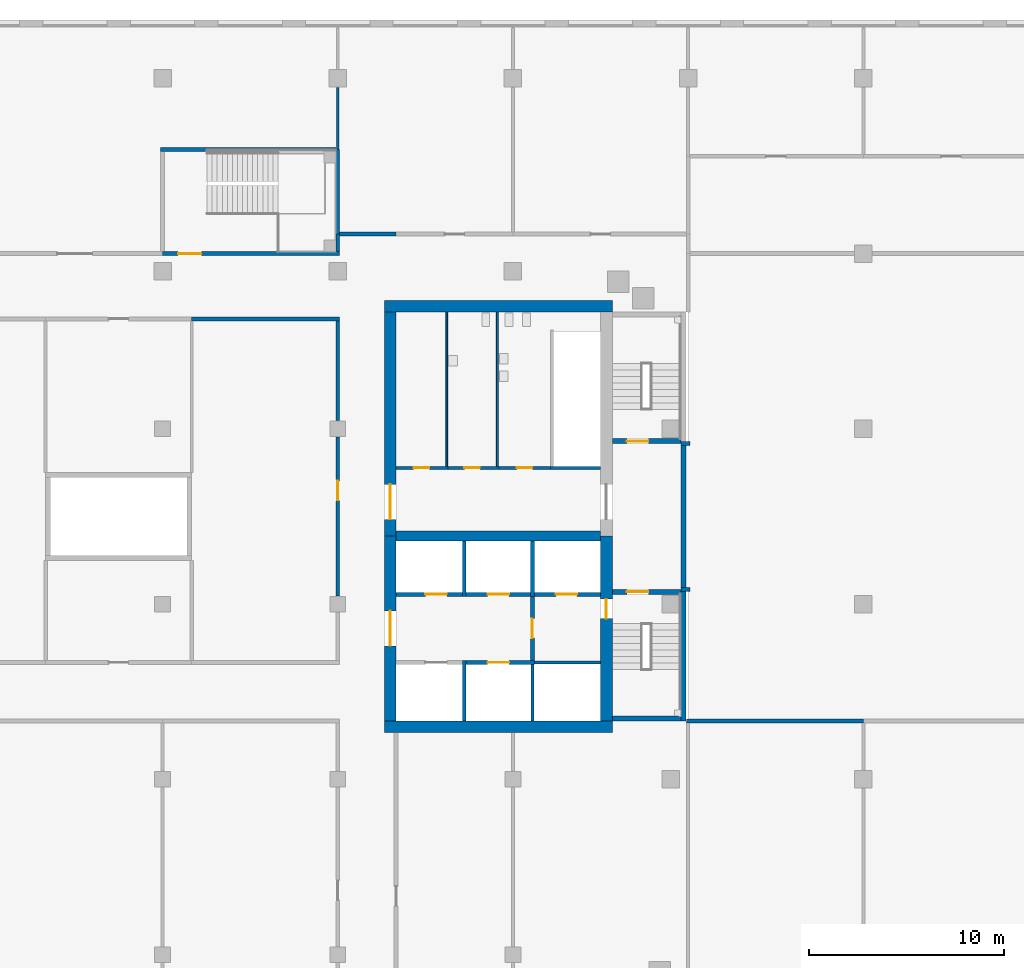
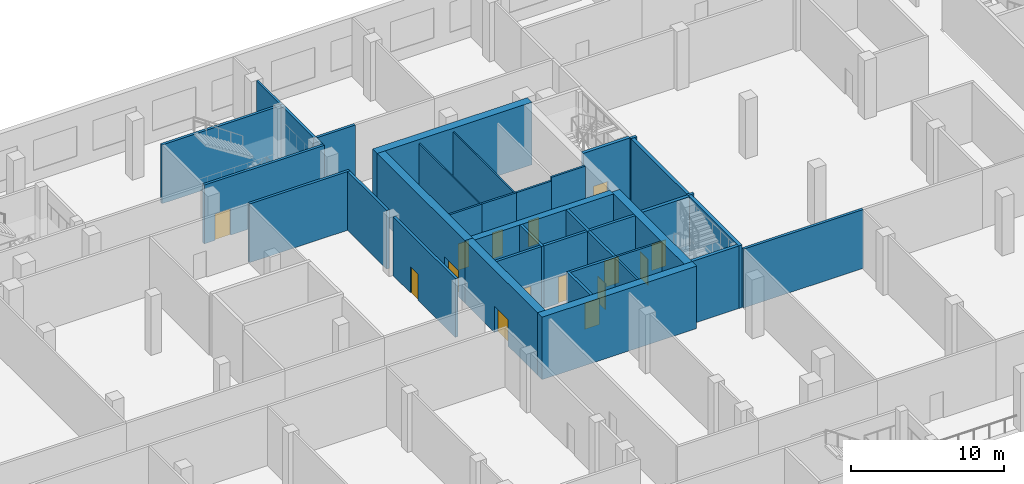
# One storey, part 9 of 23: 39 walls, 15 doors, 15 openings.
"""IFC4 building model written with IfcOpenShell, lengths in metres."""

from ifc_helpers import new_model, si_unit, direction, frame, frame_2d, origin, place, context, subcontext, project, spatial, rectangle, extrude, material, layer, layer_set, type_object, element, fill, save


model = new_model("IFC4")

# Units and contexts
model_context = context("Model", 3, precision=1e-05, world=origin(), true_north=direction((0.0, 1.0)))
body_context = subcontext(model_context, "Body", "Model", "MODEL_VIEW")
ifc_project = project(units=[si_unit("LENGTHUNIT", "METRE"), si_unit("AREAUNIT", "SQUARE_METRE"), si_unit("VOLUMEUNIT", "CUBIC_METRE"), si_unit("PLANEANGLEUNIT", "RADIAN"), si_unit("MASSUNIT", "GRAM", prefix="KILO")], contexts=[model_context])

# Site, building, storey
site_placement = place(None, origin())
site = spatial("IfcSite", under=ifc_project, at=site_placement, CompositionType="ELEMENT")
building_placement = place(site_placement, origin())
building = spatial("IfcBuilding", under=site, at=building_placement, Name="Cinnabar Reach Civic Tower", CompositionType="ELEMENT")
storey_placement = place(building_placement, frame((0.0, 0.0, 6.0)))
storey = spatial("IfcBuildingStorey", under=building, at=storey_placement, Name="L01", CompositionType="ELEMENT", Elevation=6.0)

# Walls
ifc_material_1 = material(Name="Concrete C60", Category="concrete")
ifc_layer_1 = layer(ifc_material_1, 0.5)
ifc_layer_set_1 = layer_set([ifc_layer_1], Name="Core wall 500 EI 180")
wall_type_1 = type_object("IfcWallType", Name="Core wall 500 EI 180", PredefinedType="SOLIDWALL", material=ifc_layer_set_1)
wall_1_placement = place(storey_placement, frame((-42.0, 30.5, 0.0), z_axis=(0.0, 0.0, 1.0), x_axis=(1.0, 0.0, 0.0)))
element("IfcWall", 1, at=wall_1_placement, inside=storey, type_object=wall_type_1, Name="Core spine wall T2 L01", PredefinedType="SOLIDWALL", context=body_context, shape_type="SweptSolid", body=[
    extrude(rectangle(XDim=10.5, YDim=0.5, at=frame_2d((5.25, 0.0))), origin(), (0.0, 0.0, 1.0), 5.0),
])
ifc_material_2 = material(Name="Concrete C70", Category="concrete")
ifc_layer_2 = layer(ifc_material_2, 0.6)
ifc_layer_set_2 = layer_set([ifc_layer_2], Name="Core wall 600 EI 180")
wall_type_2 = type_object("IfcWallType", Name="Core wall 600 EI 180", PredefinedType="SOLIDWALL", material=ifc_layer_set_2)
for number, where, z_axis, x_axis, name in (
    (2, (-42.6, 20.7, 0.0), (0.0, 0.0, 1.0), (1.0, 0.0, 0.0), "Core wall T2 L01 S"),
    (3, (-30.9, 42.3, 0.0), (0.0, 0.0, 1.0), (-1.0, 0.0, 0.0), "Core wall T2 L01 N"),
):
    element("IfcWall", number, at=place(storey_placement, frame(where, z_axis=z_axis, x_axis=x_axis)), inside=storey, type_object=wall_type_2, Name=name, PredefinedType="SOLIDWALL", context=body_context, shape_type="SweptSolid", body=[
        extrude(rectangle(XDim=11.7, YDim=0.6, at=frame_2d((5.85, 0.0))), origin(), (0.0, 0.0, 1.0), 5.0),
    ])

# Wall, opening, door
wall_2_placement = place(storey_placement, frame((-31.2, 21.0, 0.0), z_axis=(0.0, 0.0, 1.0), x_axis=(0.0, 1.0, 0.0)))
wall_2 = element("IfcWall", 4, at=wall_2_placement, inside=storey, type_object=wall_type_2, Name="Core wall T2 L01 E", PredefinedType="SOLIDWALL", context=body_context, shape_type="SweptSolid", body=[
    extrude(rectangle(XDim=9.5, YDim=0.6, at=frame_2d((4.75, 0.0))), origin(), (0.0, 0.0, 1.0), 5.0),
])
opening_1_placement = place(wall_2_placement, frame((5.25, 0.0, 0.0)))
opening_1 = element("IfcOpeningElement", 5, at=opening_1_placement, cuts=wall_2, Name="Opening D6039", PredefinedType="OPENING", context=body_context, shape_type="SweptSolid", body=[
    extrude(rectangle(XDim=1.0, YDim=2.1, at=frame_2d((0.5, 1.05))), frame((0.0, 0.31, 0.0), z_axis=(0.0, -1.0, 0.0), x_axis=(1.0, 0.0, 0.0)), (0.0, 0.0, 1.0), 0.62),
])
ifc_material_3 = material(Name="Steel fire door", Category="steel")
door_type_1 = type_object("IfcDoorType", Name="T2 Firefighting lobby door 1000", OperationType="SINGLE_SWING_LEFT", PredefinedType="DOOR", material=ifc_material_3)
door_1_placement = place(opening_1_placement, frame((1.0, 0.0, 0.0), z_axis=(0.0, 0.0, 1.0), x_axis=(-1.0, 0.0, 0.0)))
door_1 = element("IfcDoor", 6, at=door_1_placement, inside=storey, type_object=door_type_1, Name="T2 Firefighting lobby door D6039", OperationType="SINGLE_SWING_LEFT", OverallHeight=2.1, OverallWidth=1.0, PredefinedType="DOOR", context=body_context, shape_type="SweptSolid", body=[
    extrude(rectangle(XDim=1.0, YDim=2.1, at=frame_2d((0.5, 1.05))), frame((0.0, 0.025, 0.0), z_axis=(0.0, -1.0, 0.0), x_axis=(1.0, 0.0, 0.0)), (0.0, 0.0, 1.0), 0.05),
])
fill(opening_1, door_1)

wall_3_placement = place(storey_placement, frame((-42.3, 42.0, 0.0), z_axis=(0.0, 0.0, 1.0), x_axis=(0.0, -1.0, 0.0)))
wall_3 = element("IfcWall", 7, at=wall_3_placement, inside=storey, type_object=wall_type_2, Name="Core wall T2 L01 W", PredefinedType="SOLIDWALL", context=body_context, shape_type="SweptSolid", body=[
    extrude(rectangle(XDim=11.5, YDim=0.6, at=frame_2d((5.75, 0.0))), origin(), (0.0, 0.0, 1.0), 5.0),
])
opening_2_placement = place(wall_3_placement, frame((8.85, 0.0, 0.0)))
opening_2 = element("IfcOpeningElement", 8, at=opening_2_placement, cuts=wall_3, Name="Opening D6044", PredefinedType="OPENING", context=body_context, shape_type="SweptSolid", body=[
    extrude(rectangle(XDim=1.8, YDim=2.1, at=frame_2d((0.9, 1.05))), frame((0.0, 0.31, 0.0), z_axis=(0.0, -1.0, 0.0), x_axis=(1.0, 0.0, 0.0)), (0.0, 0.0, 1.0), 0.62),
])
door_type_2 = type_object("IfcDoorType", Name="T2 Double door 1800", OperationType="DOUBLE_DOOR_SINGLE_SWING", PredefinedType="DOOR", material=ifc_material_3)
door_2_placement = place(opening_2_placement, frame((1.8, 0.0, 0.0), z_axis=(0.0, 0.0, 1.0), x_axis=(-1.0, 0.0, 0.0)))
door_2 = element("IfcDoor", 9, at=door_2_placement, inside=storey, type_object=door_type_2, Name="T2 Double door D6044", OperationType="DOUBLE_DOOR_SINGLE_SWING", OverallHeight=2.1, OverallWidth=1.8, PredefinedType="DOOR", context=body_context, shape_type="SweptSolid", body=[
    extrude(rectangle(XDim=1.8, YDim=2.1, at=frame_2d((0.9, 1.05))), frame((0.0, 0.025, 0.0), z_axis=(0.0, -1.0, 0.0), x_axis=(1.0, 0.0, 0.0)), (0.0, 0.0, 1.0), 0.05),
])
fill(opening_2, door_2)

wall_4_placement = place(storey_placement, frame((-42.3, 30.5, 0.0), z_axis=(0.0, 0.0, 1.0), x_axis=(0.0, -1.0, 0.0)))
wall_4 = element("IfcWall", 10, at=wall_4_placement, inside=storey, type_object=wall_type_2, Name="Core wall T2 L01 W2", PredefinedType="SOLIDWALL", context=body_context, shape_type="SweptSolid", body=[
    extrude(rectangle(XDim=9.5, YDim=0.6, at=frame_2d((4.75, 0.0))), origin(), (0.0, 0.0, 1.0), 5.0),
])
opening_3_placement = place(wall_4_placement, frame((3.85, 0.0, 0.0)))
opening_3 = element("IfcOpeningElement", 11, at=opening_3_placement, cuts=wall_4, Name="Opening D6043", PredefinedType="OPENING", context=body_context, shape_type="SweptSolid", body=[
    extrude(rectangle(XDim=1.8, YDim=2.1, at=frame_2d((0.9, 1.05))), frame((0.0, 0.31, 0.0), z_axis=(0.0, -1.0, 0.0), x_axis=(1.0, 0.0, 0.0)), (0.0, 0.0, 1.0), 0.62),
])
door_3_placement = place(opening_3_placement, origin())
door_3 = element("IfcDoor", 12, at=door_3_placement, inside=storey, type_object=door_type_2, Name="T2 Double door D6043", OperationType="DOUBLE_DOOR_SINGLE_SWING", OverallHeight=2.1, OverallWidth=1.8, PredefinedType="DOOR", context=body_context, shape_type="SweptSolid", body=[
    extrude(rectangle(XDim=1.8, YDim=2.1, at=frame_2d((0.9, 1.05))), frame((0.0, 0.025, 0.0), z_axis=(0.0, -1.0, 0.0), x_axis=(1.0, 0.0, 0.0)), (0.0, 0.0, 1.0), 0.05),
])
fill(opening_3, door_3)

ifc_material_4 = material(Name="Concrete blockwork", Category="masonry")
ifc_layer_3 = layer(ifc_material_4, 0.2)
ifc_layer_set_3 = layer_set([ifc_layer_3], Name="Podium masonry corridor wall 200 EI 120")
wall_type_3 = type_object("IfcWallType", Name="Podium masonry corridor wall 200 EI 120", PredefinedType="PARTITIONING", material=ifc_layer_set_3)
wall_5_placement = place(storey_placement, frame((-45.0, 27.42, 0.0), z_axis=(0.0, 0.0, 1.0), x_axis=(0.0, 1.0, 0.0)))
wall_5 = element("IfcWall", 13, at=wall_5_placement, inside=storey, type_object=wall_type_3, Name="Wall L01 75", PredefinedType="PARTITIONING", context=body_context, shape_type="SweptSolid", body=[
    extrude(rectangle(XDim=8.16, YDim=0.2, at=frame_2d((4.08, 0.0))), origin(), (0.0, 0.0, 1.0), 4.7),
])
opening_4_placement = place(wall_5_placement, frame((4.905, 0.0, 0.0)))
opening_4 = element("IfcOpeningElement", 14, at=opening_4_placement, cuts=wall_5, Name="Opening D1077", PredefinedType="OPENING", context=body_context, shape_type="SweptSolid", body=[
    extrude(rectangle(XDim=1.0, YDim=2.1, at=frame_2d((0.5, 1.05))), frame((0.0, 0.11, 0.0), z_axis=(0.0, -1.0, 0.0), x_axis=(1.0, 0.0, 0.0)), (0.0, 0.0, 1.0), 0.22),
])
ifc_material_5 = material(Name="Painted steel door leaf", Category="steel")
door_type_3 = type_object("IfcDoorType", Name="Podium single door 1000x2100", OperationType="SINGLE_SWING_LEFT", PredefinedType="DOOR", material=ifc_material_5)
door_4_placement = place(opening_4_placement, origin())
door_4 = element("IfcDoor", 15, at=door_4_placement, inside=storey, type_object=door_type_3, Name="Door D1077", OperationType="SINGLE_SWING_LEFT", OverallHeight=2.1, OverallWidth=1.0, PredefinedType="DOOR", context=body_context, shape_type="SweptSolid", body=[
    extrude(rectangle(XDim=1.0, YDim=2.1, at=frame_2d((0.5, 1.05))), frame((0.0, 0.025, 0.0), z_axis=(0.0, -1.0, 0.0), x_axis=(1.0, 0.0, 0.0)), (0.0, 0.0, 1.0), 0.05),
])
fill(opening_4, door_4)

# Walls
wall_6_placement = place(storey_placement, frame((-45.0, 36.42, 0.0), z_axis=(0.0, 0.0, 1.0), x_axis=(0.0, 1.0, 0.0)))
element("IfcWall", 16, at=wall_6_placement, inside=storey, type_object=wall_type_3, Name="Wall L01 76", PredefinedType="PARTITIONING", context=body_context, shape_type="SweptSolid", body=[
    extrude(rectangle(XDim=5.13, YDim=0.2, at=frame_2d((2.565, 0.0))), origin(), (0.0, 0.0, 1.0), 4.7),
])
wall_7_placement = place(storey_placement, frame((-52.5, 41.65, 0.0), z_axis=(0.0, 0.0, 1.0), x_axis=(1.0, 0.0, 0.0)))
element("IfcWall", 17, at=wall_7_placement, inside=storey, type_object=wall_type_3, Name="Wall L01 89", PredefinedType="PARTITIONING", context=body_context, shape_type="SweptSolid", body=[
    extrude(rectangle(XDim=7.6, YDim=0.2, at=frame_2d((3.8, 0.0))), origin(), (0.0, 0.0, 1.0), 4.7),
])
wall_8_placement = place(storey_placement, frame((-44.9, 46.0, 0.0), z_axis=(0.0, 0.0, 1.0), x_axis=(1.0, 0.0, 0.0)))
element("IfcWall", 18, at=wall_8_placement, inside=storey, type_object=wall_type_3, Name="Wall L01 93", PredefinedType="PARTITIONING", context=body_context, shape_type="SweptSolid", body=[
    extrude(rectangle(XDim=2.9, YDim=0.2, at=frame_2d((1.45, 0.0))), origin(), (0.0, 0.0, 1.0), 4.7),
])
wall_9_placement = place(storey_placement, frame((-27.075, 21.0, 0.0), z_axis=(0.0, 0.0, 1.0), x_axis=(1.0, 0.0, 0.0)))
element("IfcWall", 19, at=wall_9_placement, inside=storey, type_object=wall_type_3, Name="Wall L01 134", PredefinedType="PARTITIONING", context=body_context, shape_type="SweptSolid", body=[
    extrude(rectangle(XDim=9.075, YDim=0.2, at=frame_2d((4.5375, 0.0))), origin(), (0.0, 0.0, 1.0), 4.7),
])
ifc_material_6 = material(Name="Gypsum board on steel studs", Category="steel")
ifc_layer_4 = layer(ifc_material_6, 0.15)
ifc_layer_set_4 = layer_set([ifc_layer_4], Name="Podium partition wall 150 EI 90")
wall_type_4 = type_object("IfcWallType", Name="Podium partition wall 150 EI 90", PredefinedType="PARTITIONING", material=ifc_layer_set_4)
wall_10_placement = place(storey_placement, frame((-45.0, 50.35, 0.0), z_axis=(0.0, 0.0, 1.0), x_axis=(0.0, 1.0, 0.0)))
element("IfcWall", 20, at=wall_10_placement, inside=storey, type_object=wall_type_4, Name="Wall L01 217", PredefinedType="PARTITIONING", context=body_context, shape_type="SweptSolid", body=[
    extrude(rectangle(XDim=3.18, YDim=0.15, at=frame_2d((1.59, 0.0))), origin(), (0.0, 0.0, 1.0), 4.7),
])
ifc_material_7 = material(Name="Concrete C40", Category="concrete")
ifc_layer_5 = layer(ifc_material_7, 0.2)
ifc_layer_set_5 = layer_set([ifc_layer_5], Name="Podium stair shaft wall 200 EI 120")
wall_type_5 = type_object("IfcWallType", Name="Podium stair shaft wall 200 EI 120", PredefinedType="SOLIDWALL", material=ifc_layer_set_5)
wall_11_placement = place(storey_placement, frame((-45.0, 45.1, 0.0), z_axis=(0.0, 0.0, 1.0), x_axis=(0.0, 1.0, 0.0)))
element("IfcWall", 21, at=wall_11_placement, inside=storey, type_object=wall_type_5, Name="Wall L01 28", PredefinedType="SOLIDWALL", context=body_context, shape_type="SweptSolid", body=[
    extrude(rectangle(XDim=0.9, YDim=0.2, at=frame_2d((0.45, 0.0))), origin(), (0.0, 0.0, 1.0), 4.7),
])

# Wall, opening, door
wall_12_placement = place(storey_placement, frame((-54.0, 45.0, 0.0), z_axis=(0.0, 0.0, 1.0), x_axis=(1.0, 0.0, 0.0)))
wall_12 = element("IfcWall", 22, at=wall_12_placement, inside=storey, type_object=wall_type_5, Name="Wall L01 29", PredefinedType="SOLIDWALL", context=body_context, shape_type="SweptSolid", body=[
    extrude(rectangle(XDim=9.1, YDim=0.2, at=frame_2d((4.55, 0.0))), origin(), (0.0, 0.0, 1.0), 4.7),
])
opening_5_placement = place(wall_12_placement, frame((0.8, 0.0, 0.0)))
opening_5 = element("IfcOpeningElement", 23, at=opening_5_placement, cuts=wall_12, Name="Opening D1099", PredefinedType="OPENING", context=body_context, shape_type="SweptSolid", body=[
    extrude(rectangle(XDim=1.2, YDim=2.1, at=frame_2d((0.6, 1.05))), frame((0.0, 0.11, 0.0), z_axis=(0.0, -1.0, 0.0), x_axis=(1.0, 0.0, 0.0)), (0.0, 0.0, 1.0), 0.22),
])
door_type_4 = type_object("IfcDoorType", Name="Podium single door 1200x2100", OperationType="SINGLE_SWING_LEFT", PredefinedType="DOOR", material=ifc_material_5)
door_5_placement = place(opening_5_placement, origin())
door_5 = element("IfcDoor", 24, at=door_5_placement, inside=storey, type_object=door_type_4, Name="Door D1099", OperationType="SINGLE_SWING_LEFT", OverallHeight=2.1, OverallWidth=1.2, PredefinedType="DOOR", context=body_context, shape_type="SweptSolid", body=[
    extrude(rectangle(XDim=1.2, YDim=2.1, at=frame_2d((0.6, 1.05))), frame((0.0, 0.025, 0.0), z_axis=(0.0, -1.0, 0.0), x_axis=(1.0, 0.0, 0.0)), (0.0, 0.0, 1.0), 0.05),
])
fill(opening_5, door_5)

# Walls
wall_13_placement = place(storey_placement, frame((-54.1, 50.35, 0.0), z_axis=(0.0, 0.0, 1.0), x_axis=(1.0, 0.0, 0.0)))
element("IfcWall", 25, at=wall_13_placement, inside=storey, type_object=wall_type_5, Name="Wall L01 30", PredefinedType="SOLIDWALL", context=body_context, shape_type="SweptSolid", body=[
    extrude(rectangle(XDim=9.0, YDim=0.2, at=frame_2d((4.5, 0.0))), origin(), (0.0, 0.0, 1.0), 4.7),
])
wall_14_placement = place(storey_placement, frame((-45.0, 46.0, 0.0), z_axis=(0.0, 0.0, 1.0), x_axis=(0.0, 1.0, 0.0)))
element("IfcWall", 26, at=wall_14_placement, inside=storey, type_object=wall_type_5, Name="Wall L01 32", PredefinedType="SOLIDWALL", context=body_context, shape_type="SweptSolid", body=[
    extrude(rectangle(XDim=4.35, YDim=0.2, at=frame_2d((2.175, 0.0))), origin(), (0.0, 0.0, 1.0), 4.7),
])
ifc_layer_6 = layer(ifc_material_1, 0.25)
ifc_layer_set_6 = layer_set([ifc_layer_6], Name="Stair shaft wall 250 EI 120")
wall_type_6 = type_object("IfcWallType", Name="Stair shaft wall 250 EI 120", PredefinedType="SOLIDWALL", material=ifc_layer_set_6)
wall_15_placement = place(storey_placement, frame((-30.9, 21.125, 0.0), z_axis=(0.0, 0.0, 1.0), x_axis=(1.0, 0.0, 0.0)))
element("IfcWall", 27, at=wall_15_placement, inside=storey, type_object=wall_type_6, Name="Stair shaft wall T2-S1 L01", PredefinedType="SOLIDWALL", context=body_context, shape_type="SweptSolid", body=[
    extrude(rectangle(XDim=3.54, YDim=0.25, at=frame_2d((1.77, 0.0))), origin(), (0.0, 0.0, 1.0), 5.0),
])

# Wall, opening, door
wall_16_placement = place(storey_placement, frame((-27.36, 27.625, 0.0), z_axis=(0.0, 0.0, 1.0), x_axis=(-1.0, 0.0, 0.0)))
wall_16 = element("IfcWall", 28, at=wall_16_placement, inside=storey, type_object=wall_type_6, Name="Stair shaft wall T2-S1 L01", PredefinedType="SOLIDWALL", context=body_context, shape_type="SweptSolid", body=[
    extrude(rectangle(XDim=3.54, YDim=0.25, at=frame_2d((1.77, 0.0))), origin(), (0.0, 0.0, 1.0), 5.0),
])
opening_6_placement = place(wall_16_placement, frame((1.69, 0.0, 0.0)))
opening_6 = element("IfcOpeningElement", 29, at=opening_6_placement, cuts=wall_16, Name="Opening D6040", PredefinedType="OPENING", context=body_context, shape_type="SweptSolid", body=[
    extrude(rectangle(XDim=1.1, YDim=2.1, at=frame_2d((0.55, 1.05))), frame((0.0, 0.135, 0.0), z_axis=(0.0, -1.0, 0.0), x_axis=(1.0, 0.0, 0.0)), (0.0, 0.0, 1.0), 0.27),
])
door_type_5 = type_object("IfcDoorType", Name="T2 Stair door 1100", OperationType="SINGLE_SWING_LEFT", PredefinedType="DOOR", material=ifc_material_3)
door_6_placement = place(opening_6_placement, origin())
door_6 = element("IfcDoor", 30, at=door_6_placement, inside=storey, type_object=door_type_5, Name="T2 Stair door D6040", OperationType="SINGLE_SWING_RIGHT", OverallHeight=2.1, OverallWidth=1.1, PredefinedType="DOOR", context=body_context, shape_type="SweptSolid", body=[
    extrude(rectangle(XDim=1.1, YDim=2.1, at=frame_2d((0.55, 1.05))), frame((0.0, 0.025, 0.0), z_axis=(0.0, -1.0, 0.0), x_axis=(1.0, 0.0, 0.0)), (0.0, 0.0, 1.0), 0.05),
])
fill(opening_6, door_6)

wall_17_placement = place(storey_placement, frame((-30.9, 35.375, 0.0), z_axis=(0.0, 0.0, 1.0), x_axis=(1.0, 0.0, 0.0)))
wall_17 = element("IfcWall", 31, at=wall_17_placement, inside=storey, type_object=wall_type_6, Name="Stair shaft wall T2-S2 L01", PredefinedType="SOLIDWALL", context=body_context, shape_type="SweptSolid", body=[
    extrude(rectangle(XDim=3.54, YDim=0.25, at=frame_2d((1.77, 0.0))), origin(), (0.0, 0.0, 1.0), 5.0),
])
opening_7_placement = place(wall_17_placement, frame((0.75, 0.0, 0.0)))
opening_7 = element("IfcOpeningElement", 32, at=opening_7_placement, cuts=wall_17, Name="Opening D6041", PredefinedType="OPENING", context=body_context, shape_type="SweptSolid", body=[
    extrude(rectangle(XDim=1.1, YDim=2.1, at=frame_2d((0.55, 1.05))), frame((0.0, 0.135, 0.0), z_axis=(0.0, -1.0, 0.0), x_axis=(1.0, 0.0, 0.0)), (0.0, 0.0, 1.0), 0.27),
])
door_7_placement = place(opening_7_placement, origin())
door_7 = element("IfcDoor", 33, at=door_7_placement, inside=storey, type_object=door_type_5, Name="T2 Stair door D6041", OperationType="SINGLE_SWING_RIGHT", OverallHeight=2.1, OverallWidth=1.1, PredefinedType="DOOR", context=body_context, shape_type="SweptSolid", body=[
    extrude(rectangle(XDim=1.1, YDim=2.1, at=frame_2d((0.55, 1.05))), frame((0.0, 0.025, 0.0), z_axis=(0.0, -1.0, 0.0), x_axis=(1.0, 0.0, 0.0)), (0.0, 0.0, 1.0), 0.05),
])
fill(opening_7, door_7)

# Walls
wall_18_placement = place(storey_placement, frame((-27.235, 21.0, 0.0), z_axis=(0.0, 0.0, 1.0), x_axis=(0.0, 1.0, 0.0)))
element("IfcWall", 34, at=wall_18_placement, inside=storey, type_object=wall_type_6, Name="Stair shaft wall T2-STRIP L01", PredefinedType="SOLIDWALL", context=body_context, shape_type="SweptSolid", body=[
    extrude(rectangle(XDim=6.65, YDim=0.25, at=frame_2d((3.325, 0.0))), origin(), (0.0, 0.0, 1.0), 5.0),
])
wall_19_placement = place(storey_placement, frame((-27.235, 27.85, 0.0), z_axis=(0.0, 0.0, 1.0), x_axis=(0.0, 1.0, 0.0)))
element("IfcWall", 35, at=wall_19_placement, inside=storey, type_object=wall_type_6, Name="Stair shaft wall T2-STRIP L01", PredefinedType="SOLIDWALL", context=body_context, shape_type="SweptSolid", body=[
    extrude(rectangle(XDim=7.3, YDim=0.25, at=frame_2d((3.65, 0.0))), origin(), (0.0, 0.0, 1.0), 5.0),
])

# Wall, opening, door
ifc_material_8 = material(Name="Masonry block partition", Category="masonry")
ifc_layer_7 = layer(ifc_material_8, 0.15)
ifc_layer_set_7 = layer_set([ifc_layer_7], Name="T2 Corridor wall 150")
wall_type_7 = type_object("IfcWallType", Name="T2 Corridor wall 150", PredefinedType="PARTITIONING", material=ifc_layer_set_7)
wall_20_placement = place(storey_placement, frame((-39.325, 34.0, 0.0), z_axis=(0.0, 0.0, 1.0), x_axis=(-1.0, 0.0, 0.0)))
wall_20 = element("IfcWall", 36, at=wall_20_placement, inside=storey, type_object=wall_type_7, Name="T2 Corridor wall L01 016", PredefinedType="PARTITIONING", context=body_context, shape_type="SweptSolid", body=[
    extrude(rectangle(XDim=2.675, YDim=0.15, at=frame_2d((1.3375, 0.0))), origin(), (0.0, 0.0, 1.0), 4.7),
])
opening_8_placement = place(wall_20_placement, frame((0.975, 0.0, 0.0)))
opening_8 = element("IfcOpeningElement", 37, at=opening_8_placement, cuts=wall_20, Name="Opening D6045", PredefinedType="OPENING", context=body_context, shape_type="SweptSolid", body=[
    extrude(rectangle(XDim=0.8, YDim=2.1, at=frame_2d((0.4, 1.05))), frame((0.0, 0.085, 0.0), z_axis=(0.0, -1.0, 0.0), x_axis=(1.0, 0.0, 0.0)), (0.0, 0.0, 1.0), 0.17),
])
ifc_material_9 = material(Name="Timber door leaf", Category="wood")
door_type_6 = type_object("IfcDoorType", Name="T2 Bathroom door 800", OperationType="SINGLE_SWING_LEFT", PredefinedType="DOOR", material=ifc_material_9)
door_8_placement = place(opening_8_placement, frame((0.8, 0.0, 0.0), z_axis=(0.0, 0.0, 1.0), x_axis=(-1.0, 0.0, 0.0)))
door_8 = element("IfcDoor", 38, at=door_8_placement, inside=storey, type_object=door_type_6, Name="T2 Bathroom door D6045", OperationType="SINGLE_SWING_LEFT", OverallHeight=2.1, OverallWidth=0.8, PredefinedType="DOOR", context=body_context, shape_type="SweptSolid", body=[
    extrude(rectangle(XDim=0.8, YDim=2.1, at=frame_2d((0.4, 1.05))), frame((0.0, 0.025, 0.0), z_axis=(0.0, -1.0, 0.0), x_axis=(1.0, 0.0, 0.0)), (0.0, 0.0, 1.0), 0.05),
])
fill(opening_8, door_8)

wall_21_placement = place(storey_placement, frame((-36.725, 34.0, 0.0), z_axis=(0.0, 0.0, 1.0), x_axis=(-1.0, 0.0, 0.0)))
wall_21 = element("IfcWall", 39, at=wall_21_placement, inside=storey, type_object=wall_type_7, Name="T2 Corridor wall L01 017", PredefinedType="PARTITIONING", context=body_context, shape_type="SweptSolid", body=[
    extrude(rectangle(XDim=2.6, YDim=0.15, at=frame_2d((1.3, 0.0))), origin(), (0.0, 0.0, 1.0), 4.7),
])
opening_9_placement = place(wall_21_placement, frame((0.975, 0.0, 0.0)))
opening_9 = element("IfcOpeningElement", 40, at=opening_9_placement, cuts=wall_21, Name="Opening D6046", PredefinedType="OPENING", context=body_context, shape_type="SweptSolid", body=[
    extrude(rectangle(XDim=0.8, YDim=2.1, at=frame_2d((0.4, 1.05))), frame((0.0, 0.085, 0.0), z_axis=(0.0, -1.0, 0.0), x_axis=(1.0, 0.0, 0.0)), (0.0, 0.0, 1.0), 0.17),
])
door_9_placement = place(opening_9_placement, frame((0.8, 0.0, 0.0), z_axis=(0.0, 0.0, 1.0), x_axis=(-1.0, 0.0, 0.0)))
door_9 = element("IfcDoor", 41, at=door_9_placement, inside=storey, type_object=door_type_6, Name="T2 Bathroom door D6046", OperationType="SINGLE_SWING_RIGHT", OverallHeight=2.1, OverallWidth=0.8, PredefinedType="DOOR", context=body_context, shape_type="SweptSolid", body=[
    extrude(rectangle(XDim=0.8, YDim=2.1, at=frame_2d((0.4, 1.05))), frame((0.0, 0.025, 0.0), z_axis=(0.0, -1.0, 0.0), x_axis=(1.0, 0.0, 0.0)), (0.0, 0.0, 1.0), 0.05),
])
fill(opening_9, door_9)

wall_22_placement = place(storey_placement, frame((-34.075, 34.0, 0.0), z_axis=(0.0, 0.0, 1.0), x_axis=(-1.0, 0.0, 0.0)))
wall_22 = element("IfcWall", 42, at=wall_22_placement, inside=storey, type_object=wall_type_7, Name="T2 Corridor wall L01 018", PredefinedType="PARTITIONING", context=body_context, shape_type="SweptSolid", body=[
    extrude(rectangle(XDim=2.65, YDim=0.15, at=frame_2d((1.325, 0.0))), origin(), (0.0, 0.0, 1.0), 4.7),
])
opening_10_placement = place(wall_22_placement, frame((0.925, 0.0, 0.0)))
opening_10 = element("IfcOpeningElement", 43, at=opening_10_placement, cuts=wall_22, Name="Opening D6047", PredefinedType="OPENING", context=body_context, shape_type="SweptSolid", body=[
    extrude(rectangle(XDim=0.8, YDim=2.1, at=frame_2d((0.4, 1.05))), frame((0.0, 0.085, 0.0), z_axis=(0.0, -1.0, 0.0), x_axis=(1.0, 0.0, 0.0)), (0.0, 0.0, 1.0), 0.17),
])
door_10_placement = place(opening_10_placement, frame((0.8, 0.0, 0.0), z_axis=(0.0, 0.0, 1.0), x_axis=(-1.0, 0.0, 0.0)))
door_10 = element("IfcDoor", 44, at=door_10_placement, inside=storey, type_object=door_type_6, Name="T2 Bathroom door D6047", OperationType="SINGLE_SWING_LEFT", OverallHeight=2.1, OverallWidth=0.8, PredefinedType="DOOR", context=body_context, shape_type="SweptSolid", body=[
    extrude(rectangle(XDim=0.8, YDim=2.1, at=frame_2d((0.4, 1.05))), frame((0.0, 0.025, 0.0), z_axis=(0.0, -1.0, 0.0), x_axis=(1.0, 0.0, 0.0)), (0.0, 0.0, 1.0), 0.05),
])
fill(opening_10, door_10)

# Walls
ifc_material_10 = material(Name="Gypsum board partition")
ifc_layer_8 = layer(ifc_material_10, 0.1)
ifc_layer_set_8 = layer_set([ifc_layer_8], Name="T2 Internal partition 100")
wall_type_8 = type_object("IfcWallType", Name="T2 Internal partition 100", PredefinedType="PARTITIONING", material=ifc_layer_set_8)
for number, where, z_axis, x_axis, name in (
    (45, (-39.4, 34.075, 0.0), (0.0, 0.0, 1.0), (0.0, 1.0, 0.0), "T2 Internal partition L01 019"),
    (46, (-36.8, 34.075, 0.0), (0.0, 0.0, 1.0), (0.0, 1.0, 0.0), "T2 Internal partition L01 020"),
):
    element("IfcWall", number, at=place(storey_placement, frame(where, z_axis=z_axis, x_axis=x_axis)), inside=storey, type_object=wall_type_8, Name=name, PredefinedType="PARTITIONING", context=body_context, shape_type="SweptSolid", body=[
        extrude(rectangle(XDim=7.925, YDim=0.1, at=frame_2d((3.9625, 0.0))), origin(), (0.0, 0.0, 1.0), 4.7),
    ])
ifc_layer_9 = layer(ifc_material_7, 0.15)
ifc_layer_set_9 = layer_set([ifc_layer_9], Name="T2 Riser wall 150")
wall_type_9 = type_object("IfcWallType", Name="T2 Riser wall 150", PredefinedType="SOLIDWALL", material=ifc_layer_set_9)
wall_23_placement = place(storey_placement, frame((-35.0, 21.0, 0.0), z_axis=(0.0, 0.0, 1.0), x_axis=(0.0, 1.0, 0.0)))
element("IfcWall", 47, at=wall_23_placement, inside=storey, type_object=wall_type_9, Name="T2 Riser wall L01 012", PredefinedType="SOLIDWALL", context=body_context, shape_type="SweptSolid", body=[
    extrude(rectangle(XDim=2.9, YDim=0.15, at=frame_2d((1.45, 0.0))), origin(), (0.0, 0.0, 1.0), 5.0),
])
wall_24_placement = place(storey_placement, frame((-31.5, 24.0, 0.0), z_axis=(0.0, 0.0, 1.0), x_axis=(-1.0, 0.0, 0.0)))
element("IfcWall", 48, at=wall_24_placement, inside=storey, type_object=wall_type_9, Name="T2 Riser wall L01 013", PredefinedType="SOLIDWALL", context=body_context, shape_type="SweptSolid", body=[
    extrude(rectangle(XDim=3.4, YDim=0.15, at=frame_2d((1.7, 0.0))), origin(), (0.0, 0.0, 1.0), 5.0),
])
wall_25_placement = place(storey_placement, frame((-34.075, 34.0, 0.0), z_axis=(0.0, 0.0, 1.0), x_axis=(1.0, 0.0, 0.0)))
element("IfcWall", 49, at=wall_25_placement, inside=storey, type_object=wall_type_9, Name="T2 Riser wall L01 014", PredefinedType="SOLIDWALL", context=body_context, shape_type="SweptSolid", body=[
    extrude(rectangle(XDim=2.575, YDim=0.15, at=frame_2d((1.2875, 0.0))), origin(), (0.0, 0.0, 1.0), 5.0),
])
ifc_layer_10 = layer(ifc_material_7, 0.2)
ifc_layer_set_10 = layer_set([ifc_layer_10], Name="T2 Shaft wall 200")
wall_type_10 = type_object("IfcWallType", Name="T2 Shaft wall 200", PredefinedType="SOLIDWALL", material=ifc_layer_set_10)
wall_26_placement = place(storey_placement, frame((-38.5, 21.0, 0.0), z_axis=(0.0, 0.0, 1.0), x_axis=(0.0, 1.0, 0.0)))
element("IfcWall", 50, at=wall_26_placement, inside=storey, type_object=wall_type_10, Name="T2 Shaft wall L01 001", PredefinedType="SOLIDWALL", context=body_context, shape_type="SweptSolid", body=[
    extrude(rectangle(XDim=3.1, YDim=0.2, at=frame_2d((1.55, 0.0))), origin(), (0.0, 0.0, 1.0), 5.0),
])

# Wall, opening, door
wall_27_placement = place(storey_placement, frame((-34.9, 24.0, 0.0), z_axis=(0.0, 0.0, 1.0), x_axis=(-1.0, 0.0, 0.0)))
wall_27 = element("IfcWall", 51, at=wall_27_placement, inside=storey, type_object=wall_type_10, Name="T2 Shaft wall L01 003", PredefinedType="SOLIDWALL", context=body_context, shape_type="SweptSolid", body=[
    extrude(rectangle(XDim=3.5, YDim=0.2, at=frame_2d((1.75, 0.0))), origin(), (0.0, 0.0, 1.0), 5.0),
])
opening_11_placement = place(wall_27_placement, frame((1.3, 0.0, 0.0)))
opening_11 = element("IfcOpeningElement", 52, at=opening_11_placement, cuts=wall_27, Name="Opening D6034", PredefinedType="OPENING", context=body_context, shape_type="SweptSolid", body=[
    extrude(rectangle(XDim=1.1, YDim=2.1, at=frame_2d((0.55, 1.05))), frame((0.0, 0.11, 0.0), z_axis=(0.0, -1.0, 0.0), x_axis=(1.0, 0.0, 0.0)), (0.0, 0.0, 1.0), 0.22),
])
door_type_7 = type_object("IfcDoorType", Name="T2 Lift landing door 1100", OperationType="SLIDING_TO_LEFT", PredefinedType="DOOR", material=ifc_material_3)
door_11_placement = place(opening_11_placement, origin())
door_11 = element("IfcDoor", 53, at=door_11_placement, inside=storey, type_object=door_type_7, Name="T2 Lift landing door D6034", OperationType="SLIDING_TO_LEFT", OverallHeight=2.1, OverallWidth=1.1, PredefinedType="DOOR", context=body_context, shape_type="SweptSolid", body=[
    extrude(rectangle(XDim=1.1, YDim=2.1, at=frame_2d((0.55, 1.05))), frame((0.0, 0.025, 0.0), z_axis=(0.0, -1.0, 0.0), x_axis=(1.0, 0.0, 0.0)), (0.0, 0.0, 1.0), 0.05),
])
fill(opening_11, door_11)

# Wall
wall_28_placement = place(storey_placement, frame((-38.5, 27.4, 0.0), z_axis=(0.0, 0.0, 1.0), x_axis=(0.0, 1.0, 0.0)))
element("IfcWall", 54, at=wall_28_placement, inside=storey, type_object=wall_type_10, Name="T2 Shaft wall L01 004", PredefinedType="SOLIDWALL", context=body_context, shape_type="SweptSolid", body=[
    extrude(rectangle(XDim=2.85, YDim=0.2, at=frame_2d((1.425, 0.0))), origin(), (0.0, 0.0, 1.0), 5.0),
])

# Wall, opening, door
wall_29_placement = place(storey_placement, frame((-42.0, 27.5, 0.0), z_axis=(0.0, 0.0, 1.0), x_axis=(1.0, 0.0, 0.0)))
wall_29 = element("IfcWall", 55, at=wall_29_placement, inside=storey, type_object=wall_type_10, Name="T2 Shaft wall L01 005", PredefinedType="SOLIDWALL", context=body_context, shape_type="SweptSolid", body=[
    extrude(rectangle(XDim=3.4, YDim=0.2, at=frame_2d((1.7, 0.0))), origin(), (0.0, 0.0, 1.0), 5.0),
])
opening_12_placement = place(wall_29_placement, frame((1.5, 0.0, 0.0)))
opening_12 = element("IfcOpeningElement", 56, at=opening_12_placement, cuts=wall_29, Name="Opening D6035", PredefinedType="OPENING", context=body_context, shape_type="SweptSolid", body=[
    extrude(rectangle(XDim=1.1, YDim=2.1, at=frame_2d((0.55, 1.05))), frame((0.0, 0.11, 0.0), z_axis=(0.0, -1.0, 0.0), x_axis=(1.0, 0.0, 0.0)), (0.0, 0.0, 1.0), 0.22),
])
door_12_placement = place(opening_12_placement, origin())
door_12 = element("IfcDoor", 57, at=door_12_placement, inside=storey, type_object=door_type_7, Name="T2 Lift landing door D6035", OperationType="SLIDING_TO_LEFT", OverallHeight=2.1, OverallWidth=1.1, PredefinedType="DOOR", context=body_context, shape_type="SweptSolid", body=[
    extrude(rectangle(XDim=1.1, YDim=2.1, at=frame_2d((0.55, 1.05))), frame((0.0, 0.025, 0.0), z_axis=(0.0, -1.0, 0.0), x_axis=(1.0, 0.0, 0.0)), (0.0, 0.0, 1.0), 0.05),
])
fill(opening_12, door_12)

# Wall
wall_30_placement = place(storey_placement, frame((-35.0, 27.4, 0.0), z_axis=(0.0, 0.0, 1.0), x_axis=(0.0, 1.0, 0.0)))
element("IfcWall", 58, at=wall_30_placement, inside=storey, type_object=wall_type_10, Name="T2 Shaft wall L01 006", PredefinedType="SOLIDWALL", context=body_context, shape_type="SweptSolid", body=[
    extrude(rectangle(XDim=2.85, YDim=0.2, at=frame_2d((1.425, 0.0))), origin(), (0.0, 0.0, 1.0), 5.0),
])

# Wall, opening, door
wall_31_placement = place(storey_placement, frame((-38.4, 27.5, 0.0), z_axis=(0.0, 0.0, 1.0), x_axis=(1.0, 0.0, 0.0)))
wall_31 = element("IfcWall", 59, at=wall_31_placement, inside=storey, type_object=wall_type_10, Name="T2 Shaft wall L01 007", PredefinedType="SOLIDWALL", context=body_context, shape_type="SweptSolid", body=[
    extrude(rectangle(XDim=3.3, YDim=0.2, at=frame_2d((1.65, 0.0))), origin(), (0.0, 0.0, 1.0), 5.0),
])
opening_13_placement = place(wall_31_placement, frame((1.1, 0.0, 0.0)))
opening_13 = element("IfcOpeningElement", 60, at=opening_13_placement, cuts=wall_31, Name="Opening D6036", PredefinedType="OPENING", context=body_context, shape_type="SweptSolid", body=[
    extrude(rectangle(XDim=1.1, YDim=2.1, at=frame_2d((0.55, 1.05))), frame((0.0, 0.11, 0.0), z_axis=(0.0, -1.0, 0.0), x_axis=(1.0, 0.0, 0.0)), (0.0, 0.0, 1.0), 0.22),
])
door_13_placement = place(opening_13_placement, origin())
door_13 = element("IfcDoor", 61, at=door_13_placement, inside=storey, type_object=door_type_7, Name="T2 Lift landing door D6036", OperationType="SLIDING_TO_LEFT", OverallHeight=2.1, OverallWidth=1.1, PredefinedType="DOOR", context=body_context, shape_type="SweptSolid", body=[
    extrude(rectangle(XDim=1.1, YDim=2.1, at=frame_2d((0.55, 1.05))), frame((0.0, 0.025, 0.0), z_axis=(0.0, -1.0, 0.0), x_axis=(1.0, 0.0, 0.0)), (0.0, 0.0, 1.0), 0.05),
])
fill(opening_13, door_13)

wall_32_placement = place(storey_placement, frame((-34.9, 27.5, 0.0), z_axis=(0.0, 0.0, 1.0), x_axis=(1.0, 0.0, 0.0)))
wall_32 = element("IfcWall", 62, at=wall_32_placement, inside=storey, type_object=wall_type_10, Name="T2 Shaft wall L01 008", PredefinedType="SOLIDWALL", context=body_context, shape_type="SweptSolid", body=[
    extrude(rectangle(XDim=3.4, YDim=0.2, at=frame_2d((1.7, 0.0))), origin(), (0.0, 0.0, 1.0), 5.0),
])
opening_14_placement = place(wall_32_placement, frame((1.1, 0.0, 0.0)))
opening_14 = element("IfcOpeningElement", 63, at=opening_14_placement, cuts=wall_32, Name="Opening D6037", PredefinedType="OPENING", context=body_context, shape_type="SweptSolid", body=[
    extrude(rectangle(XDim=1.1, YDim=2.1, at=frame_2d((0.55, 1.05))), frame((0.0, 0.11, 0.0), z_axis=(0.0, -1.0, 0.0), x_axis=(1.0, 0.0, 0.0)), (0.0, 0.0, 1.0), 0.22),
])
door_type_8 = type_object("IfcDoorType", Name="T2 Firefighting lift landing door 1100", OperationType="SLIDING_TO_LEFT", PredefinedType="DOOR", material=ifc_material_3)
door_14_placement = place(opening_14_placement, origin())
door_14 = element("IfcDoor", 64, at=door_14_placement, inside=storey, type_object=door_type_8, Name="T2 Firefighting lift landing door D6037", OperationType="SLIDING_TO_LEFT", OverallHeight=2.1, OverallWidth=1.1, PredefinedType="DOOR", context=body_context, shape_type="SweptSolid", body=[
    extrude(rectangle(XDim=1.1, YDim=2.1, at=frame_2d((0.55, 1.05))), frame((0.0, 0.025, 0.0), z_axis=(0.0, -1.0, 0.0), x_axis=(1.0, 0.0, 0.0)), (0.0, 0.0, 1.0), 0.05),
])
fill(opening_14, door_14)

wall_33_placement = place(storey_placement, frame((-35.0, 24.1, 0.0), z_axis=(0.0, 0.0, 1.0), x_axis=(0.0, 1.0, 0.0)))
wall_33 = element("IfcWall", 65, at=wall_33_placement, inside=storey, type_object=wall_type_10, Name="T2 Shaft wall L01 009", PredefinedType="SOLIDWALL", context=body_context, shape_type="SweptSolid", body=[
    extrude(rectangle(XDim=3.3, YDim=0.2, at=frame_2d((1.65, 0.0))), origin(), (0.0, 0.0, 1.0), 5.0),
])
opening_15_placement = place(wall_33_placement, frame((1.15, 0.0, 0.0)))
opening_15 = element("IfcOpeningElement", 66, at=opening_15_placement, cuts=wall_33, Name="Opening D6038", PredefinedType="OPENING", context=body_context, shape_type="SweptSolid", body=[
    extrude(rectangle(XDim=1.0, YDim=2.1, at=frame_2d((0.5, 1.05))), frame((0.0, 0.11, 0.0), z_axis=(0.0, -1.0, 0.0), x_axis=(1.0, 0.0, 0.0)), (0.0, 0.0, 1.0), 0.22),
])
door_15_placement = place(opening_15_placement, origin())
door_15 = element("IfcDoor", 67, at=door_15_placement, inside=storey, type_object=door_type_1, Name="T2 Firefighting lobby door D6038", OperationType="SINGLE_SWING_RIGHT", OverallHeight=2.1, OverallWidth=1.0, PredefinedType="DOOR", context=body_context, shape_type="SweptSolid", body=[
    extrude(rectangle(XDim=1.0, YDim=2.1, at=frame_2d((0.5, 1.05))), frame((0.0, 0.025, 0.0), z_axis=(0.0, -1.0, 0.0), x_axis=(1.0, 0.0, 0.0)), (0.0, 0.0, 1.0), 0.05),
])
fill(opening_15, door_15)

# Walls
ifc_layer_11 = layer(ifc_material_7, 0.2)
ifc_layer_set_11 = layer_set([ifc_layer_11], Name="T2 Stair enclosure wall 200")
wall_type_11 = type_object("IfcWallType", Name="T2 Stair enclosure wall 200", PredefinedType="SOLIDWALL", material=ifc_layer_set_11)
for number, where, z_axis, x_axis, name in (
    (68, (-27.36, 27.75, 0.0), (0.0, 0.0, 1.0), (1.0, 0.0, 0.0), "T2 Stair enclosure wall L01 010"),
    (69, (-26.9, 35.25, 0.0), (0.0, 0.0, 1.0), (-1.0, 0.0, 0.0), "T2 Stair enclosure wall L01 011"),
):
    element("IfcWall", number, at=place(storey_placement, frame(where, z_axis=z_axis, x_axis=x_axis)), inside=storey, type_object=wall_type_11, Name=name, PredefinedType="SOLIDWALL", context=body_context, shape_type="SweptSolid", body=[
        extrude(rectangle(XDim=0.46, YDim=0.2, at=frame_2d((0.23, 0.0))), origin(), (0.0, 0.0, 1.0), 5.0),
    ])

save(model, "model.ifc")
